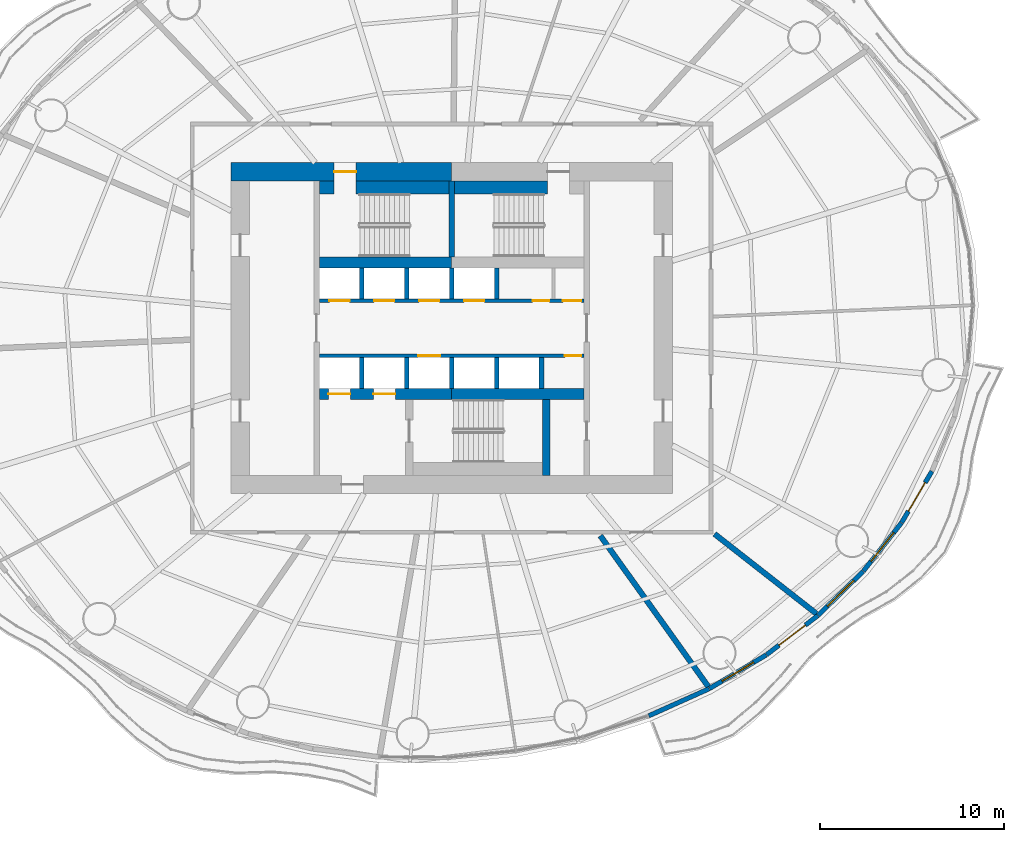
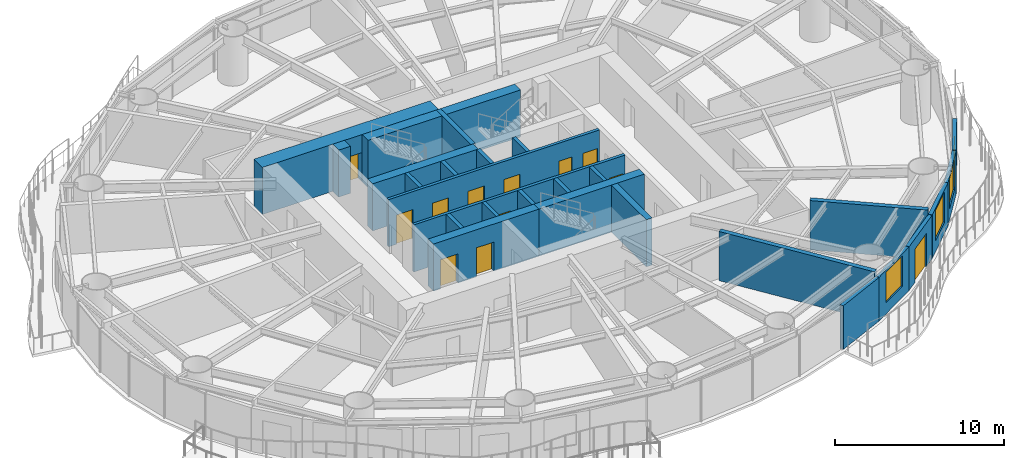
# One storey, part 9 of 16: 28 walls, 13 doors, 3 windows, 16 openings.
"""IFC4 building model written with IfcOpenShell, lengths in metres."""

from ifc_helpers import new_model, si_unit, direction, frame, frame_2d, origin, place, context, subcontext, project, spatial, rectangle, extrude, material, layer, layer_set, type_object, element, fill, save


model = new_model("IFC4")

# Units and contexts
model_context = context("Model", 3, precision=1e-05, world=origin(), true_north=direction((0.0, 1.0)))
body_context = subcontext(model_context, "Body", "Model", "MODEL_VIEW")
ifc_project = project(units=[si_unit("LENGTHUNIT", "METRE"), si_unit("AREAUNIT", "SQUARE_METRE"), si_unit("VOLUMEUNIT", "CUBIC_METRE"), si_unit("PLANEANGLEUNIT", "RADIAN"), si_unit("MASSUNIT", "GRAM", prefix="KILO")], contexts=[model_context])

# Site, building, storey
site_placement = place(None, origin())
site = spatial("IfcSite", under=ifc_project, at=site_placement, CompositionType="ELEMENT")
building_placement = place(site_placement, origin())
building = spatial("IfcBuilding", under=site, at=building_placement, Name="Vermilion Reach Broadcast Tower", CompositionType="ELEMENT")
storey_placement = place(building_placement, frame((0.0, 0.0, 69.300048828125)))
storey = spatial("IfcBuildingStorey", under=building, at=storey_placement, Name="L14", CompositionType="ELEMENT", Elevation=69.300048828125)

# Walls
ifc_material_1 = material(Name="Concrete C70", Category="concrete")
ifc_layer_1 = layer(ifc_material_1, 0.300048828125)
ifc_layer_set_1 = layer_set([ifc_layer_1], Name="Core inner wall 300 mm Concrete C70")
wall_type_1 = type_object("IfcWallType", Name="Core inner wall 300 mm Concrete C70", PredefinedType="SHEAR", material=ifc_layer_set_1)
wall_1_placement = place(storey_placement, frame((-6.0, 3.8798828125, 0.0), z_axis=(0.0, 0.0, 1.0), x_axis=(0.0, 1.0, 0.0)))
element("IfcWall", 1, at=wall_1_placement, inside=storey, type_object=wall_type_1, Name="L14 core wall wc", PredefinedType="SHEAR", context=body_context, shape_type="SweptSolid", body=[
    extrude(rectangle(XDim=4.1201171875, YDim=0.300048828125, at=frame_2d((2.06005859375, 0.0))), origin(), (0.0, 0.0, 1.0), 3.39990234375),
])
ifc_material_2 = material(Name="Concrete C70", Category="concrete")
ifc_layer_2 = layer(ifc_material_2, 0.39990234375)
ifc_layer_set_2 = layer_set([ifc_layer_2], Name="Core inner wall 400 mm Concrete C70")
wall_type_2 = type_object("IfcWallType", Name="Core inner wall 400 mm Concrete C70", PredefinedType="SHEAR", material=ifc_layer_set_2)
wall_2_placement = place(storey_placement, frame((-0.85009765625, -3.8798828125, 0.0), z_axis=(0.0, 0.0, 1.0), x_axis=(0.0, -1.0, 0.0)))
element("IfcWall", 2, at=wall_2_placement, inside=storey, type_object=wall_type_2, Name="L14 core wall wb", PredefinedType="SHEAR", context=body_context, shape_type="SweptSolid", body=[
    extrude(rectangle(XDim=4.1201171875, YDim=0.39990234375, at=frame_2d((2.06005859375, 0.0))), origin(), (0.0, 0.0, 1.0), 3.39990234375),
])
ifc_material_3 = material(Name="Concrete C70", Category="concrete")
ifc_layer_3 = layer(ifc_material_3, 0.60009765625)
ifc_layer_set_3 = layer_set([ifc_layer_3], Name="Core inner wall 600 mm Concrete C70")
wall_type_3 = type_object("IfcWallType", Name="Core inner wall 600 mm Concrete C70", PredefinedType="SHEAR", material=ifc_layer_set_3)
wall_3_placement = place(storey_placement, frame((-13.199951171875, 3.580078125, 0.0), z_axis=(0.0, 0.0, 1.0), x_axis=(1.0, 0.0, 0.0)))
element("IfcWall", 3, at=wall_3_placement, inside=storey, type_object=wall_type_3, Name="L14 core wall winW", PredefinedType="SHEAR", context=body_context, shape_type="SweptSolid", body=[
    extrude(rectangle(XDim=7.199951171875, YDim=0.60009765625, at=frame_2d((3.60009765625, 0.0))), origin(), (0.0, 0.0, 1.0), 3.39990234375),
])

# Wall, openings, doors
wall_4_placement = place(storey_placement, frame((-13.199951171875, -3.580078125, 0.0), z_axis=(0.0, 0.0, 1.0), x_axis=(1.0, 0.0, 0.0)))
wall_4 = element("IfcWall", 4, at=wall_4_placement, inside=storey, type_object=wall_type_3, Name="L14 core wall wisW", PredefinedType="SHEAR", context=body_context, shape_type="SweptSolid", body=[
    extrude(rectangle(XDim=7.199951171875, YDim=0.60009765625, at=frame_2d((3.60009765625, 0.0))), origin(), (0.0, 0.0, 1.0), 3.39990234375),
])
opening_1_placement = place(wall_4_placement, frame((0.495849609375, 0.0, 0.0)))
opening_1 = element("IfcOpeningElement", 5, at=opening_1_placement, cuts=wall_4, Name="Opening LD1", PredefinedType="OPENING", context=body_context, shape_type="SweptSolid", body=[
    extrude(rectangle(XDim=1.199951171875, YDim=2.10009765625, at=frame_2d((0.60009765625, 1.050048828125))), frame((0.0, 0.31005859375, 0.0), z_axis=(0.0, -1.0, 0.0), x_axis=(1.0, 0.0, 0.0)), (0.0, 0.0, 1.0), 0.6201171875),
])
opening_2_placement = place(wall_4_placement, frame((2.9375, 0.0, 0.0)))
opening_2 = element("IfcOpeningElement", 6, at=opening_2_placement, cuts=wall_4, Name="Opening LD1", PredefinedType="OPENING", context=body_context, shape_type="SweptSolid", body=[
    extrude(rectangle(XDim=1.199951171875, YDim=2.10009765625, at=frame_2d((0.60009765625, 1.050048828125))), frame((0.0, 0.31005859375, 0.0), z_axis=(0.0, -1.0, 0.0), x_axis=(1.0, 0.0, 0.0)), (0.0, 0.0, 1.0), 0.6201171875),
])
ifc_material_4 = material(Name="Stainless steel", Category="steel")
door_type_1 = type_object("IfcDoorType", Name="Landing door 1200 x 2100", OperationType="DOUBLE_DOOR_SLIDING", PredefinedType="NOTDEFINED", material=ifc_material_4)
door_1_placement = place(opening_1_placement, origin())
door_1 = element("IfcDoor", 7, at=door_1_placement, inside=storey, type_object=door_type_1, Name="L14 landing door FF1", OperationType="DOUBLE_DOOR_SLIDING", OverallHeight=2.10009765625, OverallWidth=1.199951171875, PredefinedType="NOTDEFINED", context=body_context, shape_type="SweptSolid", body=[
    extrude(rectangle(XDim=1.199951171875, YDim=2.10009765625, at=frame_2d((0.60009765625, 1.050048828125))), frame((0.0, 0.02490234375, 0.0), z_axis=(0.0, -1.0, 0.0), x_axis=(1.0, 0.0, 0.0)), (0.0, 0.0, 1.0), 0.050048828125),
])
fill(opening_1, door_1)
door_2_placement = place(opening_2_placement, origin())
door_2 = element("IfcDoor", 8, at=door_2_placement, inside=storey, type_object=door_type_1, Name="L14 landing door FF2", OperationType="DOUBLE_DOOR_SLIDING", OverallHeight=2.10009765625, OverallWidth=1.199951171875, PredefinedType="NOTDEFINED", context=body_context, shape_type="SweptSolid", body=[
    extrude(rectangle(XDim=1.199951171875, YDim=2.10009765625, at=frame_2d((0.60009765625, 1.050048828125))), frame((0.0, 0.02490234375, 0.0), z_axis=(0.0, -1.0, 0.0), x_axis=(1.0, 0.0, 0.0)), (0.0, 0.0, 1.0), 0.050048828125),
])
fill(opening_2, door_2)

# Wall
wall_5_placement = place(storey_placement, frame((-6.0, -3.580078125, 0.0), z_axis=(0.0, 0.0, 1.0), x_axis=(1.0, 0.0, 0.0)))
element("IfcWall", 9, at=wall_5_placement, inside=storey, type_object=wall_type_3, Name="L14 core wall wisE", PredefinedType="SHEAR", context=body_context, shape_type="SweptSolid", body=[
    extrude(rectangle(XDim=7.199951171875, YDim=0.60009765625, at=frame_2d((3.60009765625, 0.0))), origin(), (0.0, 0.0, 1.0), 3.39990234375),
])

# Wall, opening, door
ifc_material_5 = material(Name="Concrete C70", Category="concrete")
ifc_layer_4 = layer(ifc_material_5, 1.0)
ifc_layer_set_4 = layer_set([ifc_layer_4], Name="Core outer wall 1000 mm Concrete C70")
wall_type_4 = type_object("IfcWallType", Name="Core outer wall 1000 mm Concrete C70", PredefinedType="SHEAR", material=ifc_layer_set_4)
wall_6_placement = place(storey_placement, frame((-6.0, 8.5, 0.0), z_axis=(0.0, 0.0, 1.0), x_axis=(-1.0, 0.0, 0.0)))
wall_6 = element("IfcWall", 10, at=wall_6_placement, inside=storey, type_object=wall_type_4, Name="L14 core wall onW", PredefinedType="SHEAR", context=body_context, shape_type="SweptSolid", body=[
    extrude(rectangle(XDim=12.0, YDim=1.0, at=frame_2d((6.0, 0.0))), origin(), (0.0, 0.0, 1.0), 3.39990234375),
])
opening_3_placement = place(wall_6_placement, frame((5.199951171875, 0.0, 0.0)))
opening_3 = element("IfcOpeningElement", 11, at=opening_3_placement, cuts=wall_6, Name="Opening D01", PredefinedType="OPENING", context=body_context, shape_type="SweptSolid", body=[
    extrude(rectangle(XDim=1.199951171875, YDim=2.10009765625, at=frame_2d((0.60009765625, 1.050048828125))), frame((0.0, 0.510009765625, 0.0), z_axis=(0.0, -1.0, 0.0), x_axis=(1.0, 0.0, 0.0)), (0.0, 0.0, 1.0), 1.02001953125),
])
ifc_material_6 = material(Name="Painted steel fire door", Category="steel")
door_type_2 = type_object("IfcDoorType", Name="Stair door 1200 x 2100", OperationType="DOUBLE_DOOR_SINGLE_SWING", PredefinedType="NOTDEFINED", material=ifc_material_6)
door_3_placement = place(opening_3_placement, origin())
door_3 = element("IfcDoor", 12, at=door_3_placement, inside=storey, type_object=door_type_2, Name="L14 stair door ST1", OperationType="DOUBLE_DOOR_SINGLE_SWING", OverallHeight=2.10009765625, OverallWidth=1.199951171875, PredefinedType="NOTDEFINED", context=body_context, shape_type="SweptSolid", body=[
    extrude(rectangle(XDim=1.199951171875, YDim=2.10009765625, at=frame_2d((0.60009765625, 1.050048828125))), frame((0.0, 0.02490234375, 0.0), z_axis=(0.0, -1.0, 0.0), x_axis=(1.0, 0.0, 0.0)), (0.0, 0.0, 1.0), 0.050048828125),
])
fill(opening_3, door_3)

# Wall, openings, doors
ifc_material_7 = material(Name="Concrete C50", Category="concrete")
ifc_layer_5 = layer(ifc_material_7, 0.199951171875)
ifc_layer_set_5 = layer_set([ifc_layer_5], Name="Core shaft wall 200 mm Concrete C50")
wall_type_5 = type_object("IfcWallType", Name="Core shaft wall 200 mm Concrete C50", PredefinedType="SHEAR", material=ifc_layer_set_5)
wall_7_placement = place(storey_placement, frame((-13.199951171875, 1.5, 0.0), z_axis=(0.0, 0.0, 1.0), x_axis=(1.0, 0.0, 0.0)))
wall_7 = element("IfcWall", 13, at=wall_7_placement, inside=storey, type_object=wall_type_5, Name="L14 core wall fn", PredefinedType="SHEAR", context=body_context, shape_type="SweptSolid", body=[
    extrude(rectangle(XDim=14.39990234375, YDim=0.199951171875, at=frame_2d((7.199951171875, 0.0))), origin(), (0.0, 0.0, 1.0), 3.39990234375),
])
opening_4_placement = place(wall_7_placement, frame((0.5458984375, 0.0, 0.0)))
opening_4 = element("IfcOpeningElement", 14, at=opening_4_placement, cuts=wall_7, Name="Opening LD2", PredefinedType="OPENING", context=body_context, shape_type="SweptSolid", body=[
    extrude(rectangle(XDim=1.10009765625, YDim=2.10009765625, at=frame_2d((0.550048828125, 1.050048828125))), frame((0.0, 0.10986328125, 0.0), z_axis=(0.0, -1.0, 0.0), x_axis=(1.0, 0.0, 0.0)), (0.0, 0.0, 1.0), 0.219970703125),
])
opening_5_placement = place(wall_7_placement, frame((2.987548828125, 0.0, 0.0)))
opening_5 = element("IfcOpeningElement", 15, at=opening_5_placement, cuts=wall_7, Name="Opening LD2", PredefinedType="OPENING", context=body_context, shape_type="SweptSolid", body=[
    extrude(rectangle(XDim=1.10009765625, YDim=2.10009765625, at=frame_2d((0.550048828125, 1.050048828125))), frame((0.0, 0.10986328125, 0.0), z_axis=(0.0, -1.0, 0.0), x_axis=(1.0, 0.0, 0.0)), (0.0, 0.0, 1.0), 0.219970703125),
])
opening_6_placement = place(wall_7_placement, frame((5.42919921875, 0.0, 0.0)))
opening_6 = element("IfcOpeningElement", 16, at=opening_6_placement, cuts=wall_7, Name="Opening LD2", PredefinedType="OPENING", context=body_context, shape_type="SweptSolid", body=[
    extrude(rectangle(XDim=1.10009765625, YDim=2.10009765625, at=frame_2d((0.550048828125, 1.050048828125))), frame((0.0, 0.10986328125, 0.0), z_axis=(0.0, -1.0, 0.0), x_axis=(1.0, 0.0, 0.0)), (0.0, 0.0, 1.0), 0.219970703125),
])
opening_7_placement = place(wall_7_placement, frame((7.870849609375, 0.0, 0.0)))
opening_7 = element("IfcOpeningElement", 17, at=opening_7_placement, cuts=wall_7, Name="Opening LD2", PredefinedType="OPENING", context=body_context, shape_type="SweptSolid", body=[
    extrude(rectangle(XDim=1.10009765625, YDim=2.10009765625, at=frame_2d((0.550048828125, 1.050048828125))), frame((0.0, 0.10986328125, 0.0), z_axis=(0.0, -1.0, 0.0), x_axis=(1.0, 0.0, 0.0)), (0.0, 0.0, 1.0), 0.219970703125),
])
opening_8_placement = place(wall_7_placement, frame((11.60693359375, 0.0, 0.0)))
opening_8 = element("IfcOpeningElement", 18, at=opening_8_placement, cuts=wall_7, Name="Opening D06", PredefinedType="OPENING", context=body_context, shape_type="SweptSolid", body=[
    extrude(rectangle(XDim=0.89990234375, YDim=2.10009765625, at=frame_2d((0.449951171875, 1.050048828125))), frame((0.0, 0.10986328125, 0.0), z_axis=(0.0, -1.0, 0.0), x_axis=(1.0, 0.0, 0.0)), (0.0, 0.0, 1.0), 0.219970703125),
])
opening_9_placement = place(wall_7_placement, frame((13.25, 0.0, 0.0)))
opening_9 = element("IfcOpeningElement", 19, at=opening_9_placement, cuts=wall_7, Name="Opening D07", PredefinedType="OPENING", context=body_context, shape_type="SweptSolid", body=[
    extrude(rectangle(XDim=1.0, YDim=2.10009765625, at=frame_2d((0.5, 1.050048828125))), frame((0.0, 0.10986328125, 0.0), z_axis=(0.0, -1.0, 0.0), x_axis=(1.0, 0.0, 0.0)), (0.0, 0.0, 1.0), 0.219970703125),
])
ifc_material_8 = material(Name="Timber door", Category="wood")
door_type_3 = type_object("IfcDoorType", Name="Accessible WC door 1000 x 2100", OperationType="NOTDEFINED", PredefinedType="NOTDEFINED", material=ifc_material_8)
door_4_placement = place(opening_9_placement, origin())
door_4 = element("IfcDoor", 20, at=door_4_placement, inside=storey, type_object=door_type_3, Name="L14 door Accessible WC", OperationType="SINGLE_SWING_RIGHT", OverallHeight=2.10009765625, OverallWidth=1.0, PredefinedType="NOTDEFINED", context=body_context, shape_type="SweptSolid", body=[
    extrude(rectangle(XDim=1.0, YDim=2.10009765625, at=frame_2d((0.5, 1.050048828125))), frame((0.0, 0.02490234375, 0.0), z_axis=(0.0, -1.0, 0.0), x_axis=(1.0, 0.0, 0.0)), (0.0, 0.0, 1.0), 0.050048828125),
])
fill(opening_9, door_4)
ifc_material_9 = material(Name="Stainless steel", Category="steel")
door_type_4 = type_object("IfcDoorType", Name="Landing door 1100 x 2100", OperationType="DOUBLE_DOOR_SLIDING", PredefinedType="NOTDEFINED", material=ifc_material_9)
door_5_placement = place(opening_4_placement, origin())
door_5 = element("IfcDoor", 21, at=door_5_placement, inside=storey, type_object=door_type_4, Name="L14 landing door LR1", OperationType="DOUBLE_DOOR_SLIDING", OverallHeight=2.10009765625, OverallWidth=1.10009765625, PredefinedType="NOTDEFINED", context=body_context, shape_type="SweptSolid", body=[
    extrude(rectangle(XDim=1.10009765625, YDim=2.10009765625, at=frame_2d((0.550048828125, 1.050048828125))), frame((0.0, 0.02490234375, 0.0), z_axis=(0.0, -1.0, 0.0), x_axis=(1.0, 0.0, 0.0)), (0.0, 0.0, 1.0), 0.050048828125),
])
fill(opening_4, door_5)
door_6_placement = place(opening_5_placement, origin())
door_6 = element("IfcDoor", 22, at=door_6_placement, inside=storey, type_object=door_type_4, Name="L14 landing door LR2", OperationType="DOUBLE_DOOR_SLIDING", OverallHeight=2.10009765625, OverallWidth=1.10009765625, PredefinedType="NOTDEFINED", context=body_context, shape_type="SweptSolid", body=[
    extrude(rectangle(XDim=1.10009765625, YDim=2.10009765625, at=frame_2d((0.550048828125, 1.050048828125))), frame((0.0, 0.02490234375, 0.0), z_axis=(0.0, -1.0, 0.0), x_axis=(1.0, 0.0, 0.0)), (0.0, 0.0, 1.0), 0.050048828125),
])
fill(opening_5, door_6)
door_7_placement = place(opening_6_placement, origin())
door_7 = element("IfcDoor", 23, at=door_7_placement, inside=storey, type_object=door_type_4, Name="L14 landing door LR3", OperationType="DOUBLE_DOOR_SLIDING", OverallHeight=2.10009765625, OverallWidth=1.10009765625, PredefinedType="NOTDEFINED", context=body_context, shape_type="SweptSolid", body=[
    extrude(rectangle(XDim=1.10009765625, YDim=2.10009765625, at=frame_2d((0.550048828125, 1.050048828125))), frame((0.0, 0.02490234375, 0.0), z_axis=(0.0, -1.0, 0.0), x_axis=(1.0, 0.0, 0.0)), (0.0, 0.0, 1.0), 0.050048828125),
])
fill(opening_6, door_7)
door_8_placement = place(opening_7_placement, origin())
door_8 = element("IfcDoor", 24, at=door_8_placement, inside=storey, type_object=door_type_4, Name="L14 landing door LR4", OperationType="DOUBLE_DOOR_SLIDING", OverallHeight=2.10009765625, OverallWidth=1.10009765625, PredefinedType="NOTDEFINED", context=body_context, shape_type="SweptSolid", body=[
    extrude(rectangle(XDim=1.10009765625, YDim=2.10009765625, at=frame_2d((0.550048828125, 1.050048828125))), frame((0.0, 0.02490234375, 0.0), z_axis=(0.0, -1.0, 0.0), x_axis=(1.0, 0.0, 0.0)), (0.0, 0.0, 1.0), 0.050048828125),
])
fill(opening_7, door_8)
ifc_material_10 = material(Name="Timber door", Category="wood")
door_type_5 = type_object("IfcDoorType", Name="WC door 900 x 2100", OperationType="NOTDEFINED", PredefinedType="NOTDEFINED", material=ifc_material_10)
door_9_placement = place(opening_8_placement, origin())
door_9 = element("IfcDoor", 25, at=door_9_placement, inside=storey, type_object=door_type_5, Name="L14 door Female WC", OperationType="SINGLE_SWING_RIGHT", OverallHeight=2.10009765625, OverallWidth=0.89990234375, PredefinedType="NOTDEFINED", context=body_context, shape_type="SweptSolid", body=[
    extrude(rectangle(XDim=0.89990234375, YDim=2.10009765625, at=frame_2d((0.449951171875, 1.050048828125))), frame((0.0, 0.02490234375, 0.0), z_axis=(0.0, -1.0, 0.0), x_axis=(1.0, 0.0, 0.0)), (0.0, 0.0, 1.0), 0.050048828125),
])
fill(opening_8, door_9)

wall_8_placement = place(storey_placement, frame((1.199951171875, -1.5, 0.0), z_axis=(0.0, 0.0, 1.0), x_axis=(-1.0, 0.0, 0.0)))
wall_8 = element("IfcWall", 26, at=wall_8_placement, inside=storey, type_object=wall_type_5, Name="L14 core wall fs", PredefinedType="SHEAR", context=body_context, shape_type="SweptSolid", body=[
    extrude(rectangle(XDim=14.39990234375, YDim=0.199951171875, at=frame_2d((7.199951171875, 0.0))), origin(), (0.0, 0.0, 1.0), 3.39990234375),
])
opening_10_placement = place(wall_8_placement, frame((7.82080078125, 0.0, 0.0)))
opening_10 = element("IfcOpeningElement", 27, at=opening_10_placement, cuts=wall_8, Name="Opening LD1", PredefinedType="OPENING", context=body_context, shape_type="SweptSolid", body=[
    extrude(rectangle(XDim=1.199951171875, YDim=2.10009765625, at=frame_2d((0.60009765625, 1.050048828125))), frame((0.0, 0.10986328125, 0.0), z_axis=(0.0, -1.0, 0.0), x_axis=(1.0, 0.0, 0.0)), (0.0, 0.0, 1.0), 0.219970703125),
])
opening_11_placement = place(wall_8_placement, frame((0.14990234375, 0.0, 0.0)))
opening_11 = element("IfcOpeningElement", 28, at=opening_11_placement, cuts=wall_8, Name="Opening D06", PredefinedType="OPENING", context=body_context, shape_type="SweptSolid", body=[
    extrude(rectangle(XDim=0.89990234375, YDim=2.10009765625, at=frame_2d((0.449951171875, 1.050048828125))), frame((0.0, 0.10986328125, 0.0), z_axis=(0.0, -1.0, 0.0), x_axis=(1.0, 0.0, 0.0)), (0.0, 0.0, 1.0), 0.219970703125),
])
door_10_placement = place(opening_10_placement, origin())
door_10 = element("IfcDoor", 29, at=door_10_placement, inside=storey, type_object=door_type_1, Name="L14 landing door SV1", OperationType="DOUBLE_DOOR_SLIDING", OverallHeight=2.10009765625, OverallWidth=1.199951171875, PredefinedType="NOTDEFINED", context=body_context, shape_type="SweptSolid", body=[
    extrude(rectangle(XDim=1.199951171875, YDim=2.10009765625, at=frame_2d((0.60009765625, 1.050048828125))), frame((0.0, 0.02490234375, 0.0), z_axis=(0.0, -1.0, 0.0), x_axis=(1.0, 0.0, 0.0)), (0.0, 0.0, 1.0), 0.050048828125),
])
fill(opening_10, door_10)
door_11_placement = place(opening_11_placement, origin())
door_11 = element("IfcDoor", 30, at=door_11_placement, inside=storey, type_object=door_type_5, Name="L14 door Male WC", OperationType="SINGLE_SWING_LEFT", OverallHeight=2.10009765625, OverallWidth=0.89990234375, PredefinedType="NOTDEFINED", context=body_context, shape_type="SweptSolid", body=[
    extrude(rectangle(XDim=0.89990234375, YDim=2.10009765625, at=frame_2d((0.449951171875, 1.050048828125))), frame((0.0, 0.02490234375, 0.0), z_axis=(0.0, -1.0, 0.0), x_axis=(1.0, 0.0, 0.0)), (0.0, 0.0, 1.0), 0.050048828125),
])
fill(opening_11, door_11)

# Walls
ifc_material_11 = material(Name="Concrete C50", Category="concrete")
ifc_layer_6 = layer(ifc_material_11, 0.25)
ifc_layer_set_6 = layer_set([ifc_layer_6], Name="Core shaft wall 250 mm Concrete C50")
wall_type_6 = type_object("IfcWallType", Name="Core shaft wall 250 mm Concrete C50", PredefinedType="SHEAR", material=ifc_layer_set_6)
for number, where, z_axis, x_axis, name in (
    (31, (-10.88330078125, 1.60009765625, 0.0), (0.0, 0.0, 1.0), (0.0, 1.0, 0.0), "L14 core wall psN0"),
    (32, (-8.441650390625, 1.60009765625, 0.0), (0.0, 0.0, 1.0), (0.0, 1.0, 0.0), "L14 core wall psN1"),
    (33, (-6.0, 1.60009765625, 0.0), (0.0, 0.0, 1.0), (0.0, 1.0, 0.0), "L14 core wall psN2"),
    (34, (-3.558349609375, 1.60009765625, 0.0), (0.0, 0.0, 1.0), (0.0, 1.0, 0.0), "L14 core wall psN3"),
    (35, (-10.88330078125, -1.60009765625, 0.0), (0.0, 0.0, 1.0), (0.0, -1.0, 0.0), "L14 core wall psS0"),
    (36, (-8.441650390625, -1.60009765625, 0.0), (0.0, 0.0, 1.0), (0.0, -1.0, 0.0), "L14 core wall psS1"),
    (37, (-6.0, -1.60009765625, 0.0), (0.0, 0.0, 1.0), (0.0, -1.0, 0.0), "L14 core wall psS2"),
    (38, (-3.558349609375, -1.60009765625, 0.0), (0.0, 0.0, 1.0), (0.0, -1.0, 0.0), "L14 core wall psS3"),
    (39, (-1.11669921875, -1.60009765625, 0.0), (0.0, 0.0, 1.0), (0.0, -1.0, 0.0), "L14 core wall psS4"),
):
    element("IfcWall", number, at=place(storey_placement, frame(where, z_axis=z_axis, x_axis=x_axis)), inside=storey, type_object=wall_type_6, Name=name, PredefinedType="SHEAR", context=body_context, shape_type="SweptSolid", body=[
        extrude(rectangle(XDim=1.679931640625, YDim=0.25, at=frame_2d((0.83984375, 0.0))), origin(), (0.0, 0.0, 1.0), 3.39990234375),
    ])
ifc_material_12 = material(Name="Concrete C70", Category="concrete")
ifc_layer_7 = layer(ifc_material_12, 0.699951171875)
ifc_layer_set_7 = layer_set([ifc_layer_7], Name="Core stair wall 700 mm Concrete C70")
wall_type_7 = type_object("IfcWallType", Name="Core stair wall 700 mm Concrete C70", PredefinedType="SHEAR", material=ifc_layer_set_7)
wall_9_placement = place(storey_placement, frame((-13.199951171875, 7.64990234375, 0.0), z_axis=(0.0, 0.0, 1.0), x_axis=(1.0, 0.0, 0.0)))
element("IfcWall", 40, at=wall_9_placement, inside=storey, type_object=wall_type_7, Name="L14 core wall l1a", PredefinedType="SHEAR", context=body_context, shape_type="SweptSolid", body=[
    extrude(rectangle(XDim=0.800048828125, YDim=0.699951171875, at=frame_2d((0.39990234375, 0.0))), origin(), (0.0, 0.0, 1.0), 3.39990234375),
])
for number, where, z_axis, x_axis, name in (
    (41, (-11.199951171875, 7.64990234375, 0.0), (0.0, 0.0, 1.0), (1.0, 0.0, 0.0), "L14 core wall l1b"),
    (42, (-5.85009765625, 7.64990234375, 0.0), (0.0, 0.0, 1.0), (1.0, 0.0, 0.0), "L14 core wall l2a"),
):
    element("IfcWall", number, at=place(storey_placement, frame(where, z_axis=z_axis, x_axis=x_axis)), inside=storey, type_object=wall_type_7, Name=name, PredefinedType="SHEAR", context=body_context, shape_type="SweptSolid", body=[
        extrude(rectangle(XDim=5.050048828125, YDim=0.699951171875, at=frame_2d((2.52490234375, 0.0))), origin(), (0.0, 0.0, 1.0), 3.39990234375),
    ])
ifc_material_13 = material(Name="Double-leaf plasterboard on isolated steel stud", Category="steel")
ifc_layer_8 = layer(ifc_material_13, 0.300048828125)
ifc_layer_set_8 = layer_set([ifc_layer_8], Name="Partition 300 acoustic double leaf")
wall_type_8 = type_object("IfcWallType", Name="Partition 300 acoustic double leaf", PredefinedType="PARTITIONING", material=ifc_layer_set_8)
wall_10_placement = place(storey_placement, frame((7.953125, -19.49072265625, 0.0), z_axis=(0.0, 0.0, 1.0), x_axis=(-0.582107718731, 0.813111679779, 0.0)))
element("IfcWall", 43, at=wall_10_placement, inside=storey, type_object=wall_type_8, Name="Partition 14.12", PredefinedType="PARTITIONING", context=body_context, shape_type="SweptSolid", body=[
    extrude(rectangle(XDim=10.0888671875, YDim=0.300048828125, at=frame_2d((5.04443359375, 0.0))), origin(), (0.0, 0.0, 1.0), 3.550048828125),
])
wall_11_placement = place(storey_placement, frame((13.835693359375, -15.529296875, 0.0), z_axis=(0.0, 0.0, 1.0), x_axis=(-0.787406195981, 0.616434491678, 0.0)))
element("IfcWall", 44, at=wall_11_placement, inside=storey, type_object=wall_type_8, Name="Partition 14.13", PredefinedType="PARTITIONING", context=body_context, shape_type="SweptSolid", body=[
    extrude(rectangle(XDim=7.039794921875, YDim=0.300048828125, at=frame_2d((3.52001953125, 0.0))), origin(), (0.0, 0.0, 1.0), 3.550048828125),
])
ifc_material_14 = material(Name="Terracotta rainscreen cladding", Category="masonry")
ifc_layer_9 = layer(ifc_material_14, 0.25)
ifc_layer_set_9 = layer_set([ifc_layer_9], Name="Terracotta rainscreen wall 250")
wall_type_9 = type_object("IfcWallType", Name="Terracotta rainscreen wall 250", PredefinedType="SOLIDWALL", material=ifc_layer_set_9)
wall_12_placement = place(storey_placement, frame((4.718994140625, -21.080078125, 0.0), z_axis=(0.0, 0.0, 1.0), x_axis=(0.912212078045, 0.409718347977, 0.0)))
element("IfcWall", 45, at=wall_12_placement, inside=storey, type_object=wall_type_9, Name="External wall L14 38", PredefinedType="SOLIDWALL", context=body_context, shape_type="SweptSolid", body=[
    extrude(rectangle(XDim=3.597412109375, YDim=0.25, at=frame_2d((1.798828125, 0.0))), origin(), (0.0, 0.0, 1.0), 3.14990234375),
])

# Wall, opening, window
wall_13_placement = place(storey_placement, frame((8.02001953125, -19.59619140625, 0.0), z_axis=(0.0, 0.0, 1.0), x_axis=(0.860342460641, 0.509716441188, 0.0)))
wall_13 = element("IfcWall", 46, at=wall_13_placement, inside=storey, type_object=wall_type_9, Name="External wall L14 39", PredefinedType="SOLIDWALL", context=body_context, shape_type="SweptSolid", body=[
    extrude(rectangle(XDim=3.581787109375, YDim=0.25, at=frame_2d((1.791015625, 0.0))), origin(), (0.0, 0.0, 1.0), 3.14990234375),
])
opening_12_placement = place(wall_13_placement, frame((0.790771484375, 0.0, 0.800048828125)))
opening_12 = element("IfcOpeningElement", 47, at=opening_12_placement, cuts=wall_13, Name="Opening W01", PredefinedType="OPENING", context=body_context, shape_type="SweptSolid", body=[
    extrude(rectangle(XDim=2.0, YDim=2.199951171875, at=frame_2d((1.0, 1.10009765625))), frame((0.0, 0.135009765625, 0.0), z_axis=(0.0, -1.0, 0.0), x_axis=(1.0, 0.0, 0.0)), (0.0, 0.0, 1.0), 0.27001953125),
])
ifc_material_15 = material(Name="Low-e laminated clear glass in aluminium frame", Category="aluminium")
window_type = type_object("IfcWindowType", Name="Punched window 2000 x 2200 sill 800", PartitioningType="SINGLE_PANEL", PredefinedType="WINDOW", material=ifc_material_15)
window_1_placement = place(opening_12_placement, origin())
window_1 = element("IfcWindow", 48, at=window_1_placement, inside=storey, type_object=window_type, Name="Window L14 39", OverallHeight=2.199951171875, OverallWidth=2.0, PartitioningType="SINGLE_PANEL", PredefinedType="WINDOW", context=body_context, shape_type="SweptSolid", body=[
    extrude(rectangle(XDim=2.0, YDim=2.199951171875, at=frame_2d((1.0, 1.10009765625))), frame((0.0, 0.030029296875, 0.0), z_axis=(0.0, -1.0, 0.0), x_axis=(1.0, 0.0, 0.0)), (0.0, 0.0, 1.0), 0.06005859375),
])
fill(opening_12, window_1)

# Wall, opening, door
wall_14_placement = place(storey_placement, frame((11.1201171875, -17.758056640625, 0.0), z_axis=(0.0, 0.0, 1.0), x_axis=(0.795035183211, 0.60656331694, 0.0)))
wall_14 = element("IfcWall", 49, at=wall_14_placement, inside=storey, type_object=wall_type_9, Name="External wall L14 40", PredefinedType="SOLIDWALL", context=body_context, shape_type="SweptSolid", body=[
    extrude(rectangle(XDim=3.506591796875, YDim=0.25, at=frame_2d((1.75341796875, 0.0))), origin(), (0.0, 0.0, 1.0), 3.14990234375),
])
opening_13_placement = place(wall_14_placement, frame((0.85302734375, 0.0, 0.0)))
opening_13 = element("IfcOpeningElement", 50, at=opening_13_placement, cuts=wall_14, Name="Opening D70", PredefinedType="OPENING", context=body_context, shape_type="SweptSolid", body=[
    extrude(rectangle(XDim=1.800048828125, YDim=2.39990234375, at=frame_2d((0.89990234375, 1.199951171875))), frame((0.0, 0.135009765625, 0.0), z_axis=(0.0, -1.0, 0.0), x_axis=(1.0, 0.0, 0.0)), (0.0, 0.0, 1.0), 0.27001953125),
])
ifc_material_16 = material(Name="Low-e laminated clear glass in aluminium frame", Category="aluminium")
door_type_6 = type_object("IfcDoorType", Name="Balcony sliding door 1800 x 2400", OperationType="DOUBLE_DOOR_SLIDING", PredefinedType="DOOR", material=ifc_material_16)
door_12_placement = place(opening_13_placement, origin())
door_12 = element("IfcDoor", 51, at=door_12_placement, inside=storey, type_object=door_type_6, Name="Balcony door L14 run 10", OperationType="DOUBLE_DOOR_SLIDING", OverallHeight=2.39990234375, OverallWidth=1.800048828125, PredefinedType="DOOR", context=body_context, shape_type="SweptSolid", body=[
    extrude(rectangle(XDim=1.800048828125, YDim=2.39990234375, at=frame_2d((0.89990234375, 1.199951171875))), frame((0.0, 0.02490234375, 0.0), z_axis=(0.0, -1.0, 0.0), x_axis=(1.0, 0.0, 0.0)), (0.0, 0.0, 1.0), 0.050048828125),
])
fill(opening_13, door_12)

# Wall, opening, window
wall_15_placement = place(storey_placement, frame((13.925537109375, -15.61572265625, 0.0), z_axis=(0.0, 0.0, 1.0), x_axis=(0.715230982257, 0.698888147001, 0.0)))
wall_15 = element("IfcWall", 52, at=wall_15_placement, inside=storey, type_object=wall_type_9, Name="External wall L14 41", PredefinedType="SOLIDWALL", context=body_context, shape_type="SweptSolid", body=[
    extrude(rectangle(XDim=3.4208984375, YDim=0.25, at=frame_2d((1.71044921875, 0.0))), origin(), (0.0, 0.0, 1.0), 3.14990234375),
])
opening_14_placement = place(wall_15_placement, frame((0.71044921875, 0.0, 0.800048828125)))
opening_14 = element("IfcOpeningElement", 53, at=opening_14_placement, cuts=wall_15, Name="Opening W01", PredefinedType="OPENING", context=body_context, shape_type="SweptSolid", body=[
    extrude(rectangle(XDim=2.0, YDim=2.199951171875, at=frame_2d((1.0, 1.10009765625))), frame((0.0, 0.135009765625, 0.0), z_axis=(0.0, -1.0, 0.0), x_axis=(1.0, 0.0, 0.0)), (0.0, 0.0, 1.0), 0.27001953125),
])
window_2_placement = place(opening_14_placement, origin())
window_2 = element("IfcWindow", 54, at=window_2_placement, inside=storey, type_object=window_type, Name="Window L14 41", OverallHeight=2.199951171875, OverallWidth=2.0, PartitioningType="SINGLE_PANEL", PredefinedType="WINDOW", context=body_context, shape_type="SweptSolid", body=[
    extrude(rectangle(XDim=2.0, YDim=2.199951171875, at=frame_2d((1.0, 1.10009765625))), frame((0.0, 0.030029296875, 0.0), z_axis=(0.0, -1.0, 0.0), x_axis=(1.0, 0.0, 0.0)), (0.0, 0.0, 1.0), 0.06005859375),
])
fill(opening_14, window_2)

wall_16_placement = place(storey_placement, frame((16.38818359375, -13.206787109375, 0.0), z_axis=(0.0, 0.0, 1.0), x_axis=(0.619836825524, 0.784730724341, 0.0)))
wall_16 = element("IfcWall", 55, at=wall_16_placement, inside=storey, type_object=wall_type_9, Name="External wall L14 42", PredefinedType="SOLIDWALL", context=body_context, shape_type="SweptSolid", body=[
    extrude(rectangle(XDim=3.329833984375, YDim=0.25, at=frame_2d((1.6650390625, 0.0))), origin(), (0.0, 0.0, 1.0), 3.14990234375),
])
opening_15_placement = place(wall_16_placement, frame((0.6650390625, 0.0, 0.800048828125)))
opening_15 = element("IfcOpeningElement", 56, at=opening_15_placement, cuts=wall_16, Name="Opening W01", PredefinedType="OPENING", context=body_context, shape_type="SweptSolid", body=[
    extrude(rectangle(XDim=2.0, YDim=2.199951171875, at=frame_2d((1.0, 1.10009765625))), frame((0.0, 0.135009765625, 0.0), z_axis=(0.0, -1.0, 0.0), x_axis=(1.0, 0.0, 0.0)), (0.0, 0.0, 1.0), 0.27001953125),
])
window_3_placement = place(opening_15_placement, origin())
window_3 = element("IfcWindow", 57, at=window_3_placement, inside=storey, type_object=window_type, Name="Window L14 42", OverallHeight=2.199951171875, OverallWidth=2.0, PartitioningType="SINGLE_PANEL", PredefinedType="WINDOW", context=body_context, shape_type="SweptSolid", body=[
    extrude(rectangle(XDim=2.0, YDim=2.199951171875, at=frame_2d((1.0, 1.10009765625))), frame((0.0, 0.030029296875, 0.0), z_axis=(0.0, -1.0, 0.0), x_axis=(1.0, 0.0, 0.0)), (0.0, 0.0, 1.0), 0.06005859375),
])
fill(opening_15, window_3)

# Wall, opening, door
wall_17_placement = place(storey_placement, frame((18.46630859375, -10.5732421875, 0.0), z_axis=(0.0, 0.0, 1.0), x_axis=(0.508376359917, 0.861134993295, 0.0)))
wall_17 = element("IfcWall", 58, at=wall_17_placement, inside=storey, type_object=wall_type_9, Name="External wall L14 43", PredefinedType="SOLIDWALL", context=body_context, shape_type="SweptSolid", body=[
    extrude(rectangle(XDim=3.23974609375, YDim=0.25, at=frame_2d((1.619873046875, 0.0))), origin(), (0.0, 0.0, 1.0), 3.14990234375),
])
opening_16_placement = place(wall_17_placement, frame((0.719970703125, 0.0, 0.0)))
opening_16 = element("IfcOpeningElement", 59, at=opening_16_placement, cuts=wall_17, Name="Opening D70", PredefinedType="OPENING", context=body_context, shape_type="SweptSolid", body=[
    extrude(rectangle(XDim=1.800048828125, YDim=2.39990234375, at=frame_2d((0.89990234375, 1.199951171875))), frame((0.0, 0.135009765625, 0.0), z_axis=(0.0, -1.0, 0.0), x_axis=(1.0, 0.0, 0.0)), (0.0, 0.0, 1.0), 0.27001953125),
])
door_13_placement = place(opening_16_placement, origin())
door_13 = element("IfcDoor", 60, at=door_13_placement, inside=storey, type_object=door_type_6, Name="Balcony door L14 run 11", OperationType="DOUBLE_DOOR_SLIDING", OverallHeight=2.39990234375, OverallWidth=1.800048828125, PredefinedType="DOOR", context=body_context, shape_type="SweptSolid", body=[
    extrude(rectangle(XDim=1.800048828125, YDim=2.39990234375, at=frame_2d((0.89990234375, 1.199951171875))), frame((0.0, 0.02490234375, 0.0), z_axis=(0.0, -1.0, 0.0), x_axis=(1.0, 0.0, 0.0)), (0.0, 0.0, 1.0), 0.050048828125),
])
fill(opening_16, door_13)

save(model, "model.ifc")
